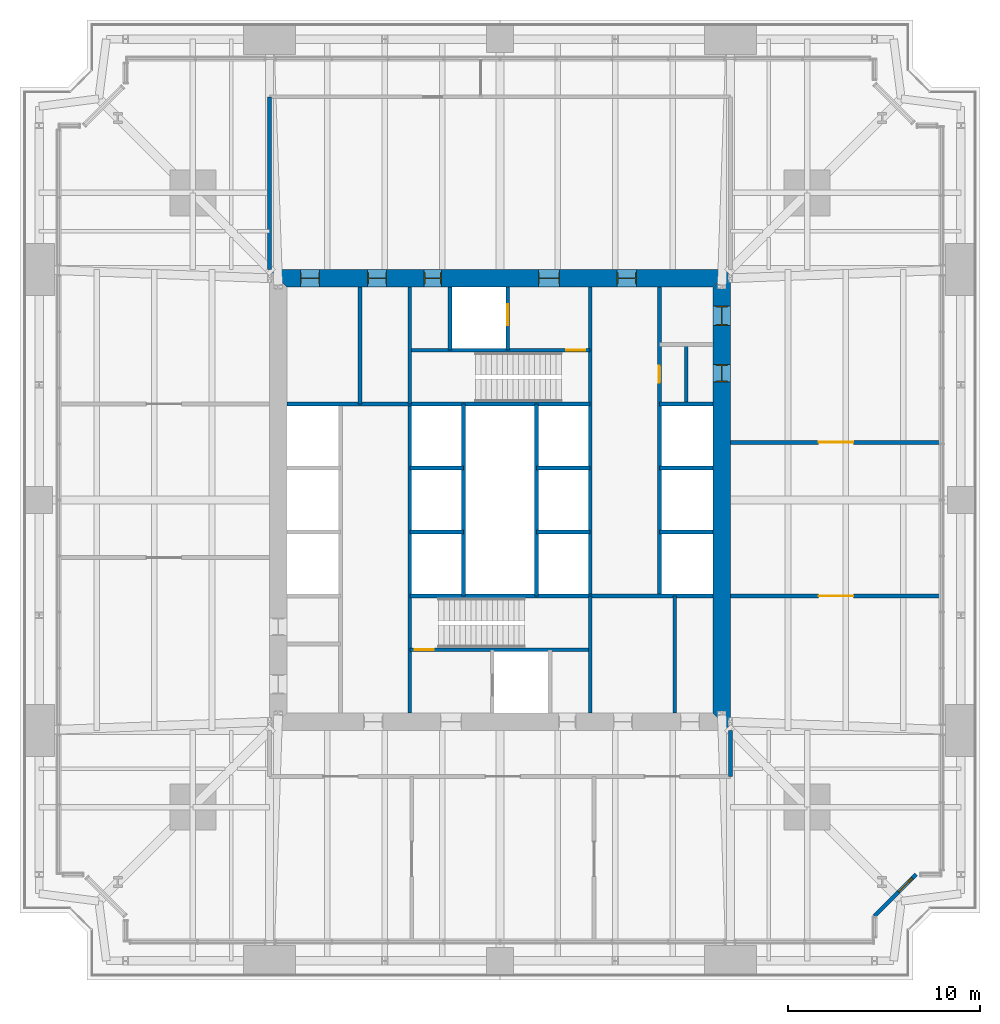
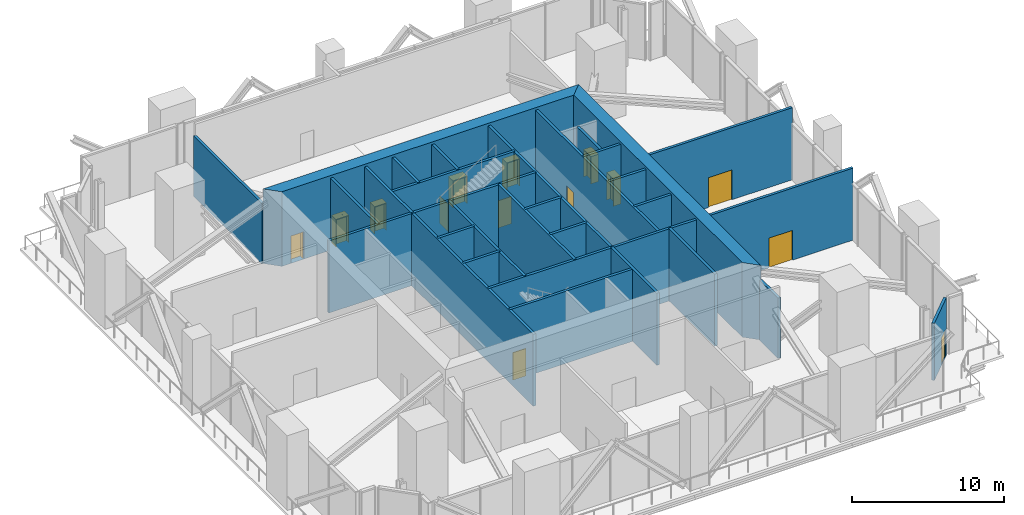
# One storey, part 9 of 13: 30 walls, 14 doors, 14 openings.
"""IFC4 building model written with IfcOpenShell, lengths in metres."""

import ifcopenshell
import ifcopenshell.guid

model = None  # the IFC model being written
_history = None  # IfcOwnerHistory: only IFC2X3 demands one
_inside = {}  # id of a spatial element -> (the spatial element, [elements in it])
_under = {}  # id of a project, library or spatial element -> (it, [spatial elements below it])
_declared = {}  # id of a project -> (the project, [libraries it declares])
_typed = {}  # id of a type object -> (the type object, [elements of that type])
_made_of = {}  # id of a material, layer set ... -> (it, [elements and type objects made of it])


def new_model(schema):
    """Start an empty IFC model of exactly this schema.

    Asked for "IFC4X3", IfcOpenShell would pick the latest addendum, in which some entities
    have other attributes; the version numbers below select the first issue.
    IFC2X3 requires an IfcOwnerHistory on every rooted entity: one is made here for all.
    """
    global model, _history
    if schema == "IFC4X3":
        model = ifcopenshell.file(schema_version=(4, 3, 0, 0))
    else:
        model = ifcopenshell.file(schema=schema)
    _inside.clear()
    _under.clear()
    _declared.clear()
    _typed.clear()
    _made_of.clear()
    _history = None
    if model.schema == "IFC2X3":
        org = make("IfcOrganization", Name="unknown")
        user = make(
            "IfcPersonAndOrganization",
            ThePerson=make("IfcPerson", FamilyName="unknown"),
            TheOrganization=org,
        )
        app = make(
            "IfcApplication",
            ApplicationDeveloper=org,
            Version="unknown",
            ApplicationFullName="unknown",
            ApplicationIdentifier="unknown",
        )
        _history = make(
            "IfcOwnerHistory",
            OwningUser=user,
            OwningApplication=app,
            ChangeAction="ADDED",
            CreationDate=0,
        )
    return model


def make(cls, **values):
    """One entity of the class cls with the attributes given. An attribute that is None is left unset."""
    return model.create_entity(
        cls, **{name: value for name, value in values.items() if value is not None}
    )


def rooted(cls, **values):
    """An entity with a GlobalId (a new one), such as an element, a storey or a relation."""
    return make(cls, GlobalId=ifcopenshell.guid.new(), OwnerHistory=_history, **values)


def si_unit(unit_type, name, prefix=None):
    """IfcSIUnit, for example si_unit("LENGTHUNIT", "METRE", prefix="MILLI")."""
    return make("IfcSIUnit", UnitType=unit_type, Prefix=prefix, Name=name)


def assignment(units):
    """IfcUnitAssignment: the units of a project."""
    return None if units is None else make("IfcUnitAssignment", Units=units)


def point(xyz):
    """IfcCartesianPoint."""
    return None if xyz is None else make("IfcCartesianPoint", Coordinates=xyz)


def direction(xyz):
    """IfcDirection."""
    return None if xyz is None else make("IfcDirection", DirectionRatios=xyz)


def frame(location, z_axis=None, x_axis=None):
    """IfcAxis2Placement3D, a coordinate frame: its origin and axes. An axis left out is left unset."""
    return make(
        "IfcAxis2Placement3D",
        Location=point(location),
        Axis=direction(z_axis),
        RefDirection=direction(x_axis),
    )


def frame_2d(location, x_axis=None):
    """IfcAxis2Placement2D, a coordinate frame in the plane: its origin and x axis."""
    return make(
        "IfcAxis2Placement2D", Location=point(location), RefDirection=direction(x_axis)
    )


def origin():
    """The frame at (0, 0, 0) with its axes left unset."""
    return frame((0.0, 0.0, 0.0))


def place(relative_to, where):
    """IfcLocalPlacement: puts the frame where relative to a parent placement (None: the world)."""
    return make(
        "IfcLocalPlacement", PlacementRelTo=relative_to, RelativePlacement=where
    )


def context(
    kind, dimensions, precision=None, world=None, true_north=None, identifier=None
):
    """IfcGeometricRepresentationContext, for example the 3D "Model" context."""
    return make(
        "IfcGeometricRepresentationContext",
        ContextIdentifier=identifier,
        ContextType=kind,
        CoordinateSpaceDimension=dimensions,
        Precision=precision,
        WorldCoordinateSystem=world,
        TrueNorth=true_north,
    )


def subcontext(parent, identifier, kind, view, scale=None):
    """IfcGeometricRepresentationSubContext, for example "Body" below "Model"."""
    return make(
        "IfcGeometricRepresentationSubContext",
        ContextIdentifier=identifier,
        ContextType=kind,
        ParentContext=parent,
        TargetScale=scale,
        TargetView=view,
    )


def project(units=None, contexts=None):
    """IfcProject with its units and contexts."""
    return rooted(
        "IfcProject",
        Name="project",
        RepresentationContexts=contexts,
        UnitsInContext=assignment(units),
    )


def spatial(cls, under=None, at=None, **own):
    """A site, building, storey or space (cls), placed at a placement, below another one or the project."""
    s = rooted(cls, ObjectPlacement=at, **own)
    if under is not None:
        _under.setdefault(under.id(), (under, []))[1].append(s)
    return s


def polyline(points):
    """IfcPolyline through the points."""
    return make("IfcPolyline", Points=[point(p) for p in points])


def profile(cls, at=None, kind="AREA", **sizes):
    """A parametric profile (cls). Its sizes go by their IFC names, for example OverallWidth=200.0."""
    return make(cls, ProfileType=kind, Position=at, **sizes)


def rectangle(**sizes):
    """IfcRectangleProfileDef."""
    return profile("IfcRectangleProfileDef", **sizes)


def outline(outer, holes=None, kind="AREA"):
    """IfcArbitraryClosedProfileDef: a profile drawn as a closed curve; with holes, ...WithVoids."""
    if holes is None:
        return make("IfcArbitraryClosedProfileDef", ProfileType=kind, OuterCurve=outer)
    return make(
        "IfcArbitraryProfileDefWithVoids",
        ProfileType=kind,
        OuterCurve=outer,
        InnerCurves=holes,
    )


def extrude(swept, where, along, depth):
    """IfcExtrudedAreaSolid: the profile swept, set in the frame where, extruded along a direction by depth."""
    return make(
        "IfcExtrudedAreaSolid",
        SweptArea=swept,
        Position=where,
        ExtrudedDirection=direction(along),
        Depth=depth,
    )


def shape(context_of_items, identifier, shape_type, items):
    """IfcShapeRepresentation: the items that make up one representation, for example the "Body"."""
    return make(
        "IfcShapeRepresentation",
        ContextOfItems=context_of_items,
        RepresentationIdentifier=identifier,
        RepresentationType=shape_type,
        Items=items,
    )


def material(Name=None, Category=None):
    """IfcMaterial."""
    return make("IfcMaterial", Name=Name, Category=Category)


def layer(
    of_material, thickness, ventilated=None, Name=None, Category=None, Priority=None
):
    """IfcMaterialLayer: one layer of a wall or slab, of a material (None: an air gap)."""
    return make(
        "IfcMaterialLayer",
        Material=of_material,
        LayerThickness=thickness,
        IsVentilated=ventilated,
        Name=Name,
        Category=Category,
        Priority=Priority,
    )


def layer_set(layers, Name=None):
    """IfcMaterialLayerSet."""
    return make("IfcMaterialLayerSet", MaterialLayers=layers, LayerSetName=Name)


def made_of(thing, what):
    """Note that an element or type object is made of a material, layer set ...; save() writes the relation."""
    if what is not None:
        _made_of.setdefault(what.id(), (what, []))[1].append(thing)
    return thing


def type_object(cls, material=None, **own):
    """A type object (cls), such as IfcWallType, which elements share."""
    return made_of(rooted(cls, **own), material)


def element(
    cls,
    number,
    at=None,
    inside=None,
    cuts=None,
    type_object=None,
    material=None,
    context=None,
    identifier="Body",
    shape_type=None,
    held_by="IfcProductDefinitionShape",
    body=None,
    shapes=None,
    **own,
):
    """One element of the class cls, such as IfcWall. Its Tag is "e" and its number.

    at: its placement. inside: the storey or other place that contains it. cuts: it is an
    opening in that element (IfcRelVoidsElement). A single representation is given by context,
    identifier, shape_type and body (its items); several are given by shapes. held_by: the class
    of the entity that holds the representations. save() writes the other relations.
    """
    e = rooted(cls, Tag="e%d" % number, ObjectPlacement=at, **own)
    if body is not None:
        shapes = [shape(context, identifier, shape_type, body)]
    if shapes is not None:
        e.Representation = make(held_by, Representations=shapes)
    if inside is not None:
        _inside.setdefault(inside.id(), (inside, []))[1].append(e)
    if cuts is not None:
        rooted(
            "IfcRelVoidsElement", RelatingBuildingElement=cuts, RelatedOpeningElement=e
        )
    if type_object is not None:
        _typed.setdefault(type_object.id(), (type_object, []))[1].append(e)
    return made_of(e, material)


def fill(opening, filler):
    """IfcRelFillsElement: the door or window that sits in an opening."""
    return rooted(
        "IfcRelFillsElement",
        RelatingOpeningElement=opening,
        RelatedBuildingElement=filler,
    )


def aggregate(whole, parts):
    """IfcRelAggregates: a whole, such as a stair, and the parts it consists of."""
    return rooted("IfcRelAggregates", RelatingObject=whole, RelatedObjects=parts)


def save(model, path):
    """Write the relations noted so far, then the file.

    IfcRelAggregates (storeys below a building ...), IfcRelContainedInSpatialStructure (elements
    in a storey), IfcRelDefinesByType, IfcRelAssociatesMaterial and IfcRelDeclares: one each for
    every whole, place, type object, material and project.
    """
    for whole, parts in _under.values():
        aggregate(whole, parts)
    for where, things in _inside.values():
        rooted(
            "IfcRelContainedInSpatialStructure",
            RelatedElements=things,
            RelatingStructure=where,
        )
    for kind, things in _typed.values():
        rooted("IfcRelDefinesByType", RelatedObjects=things, RelatingType=kind)
    for what, things in _made_of.values():
        rooted("IfcRelAssociatesMaterial", RelatedObjects=things, RelatingMaterial=what)
    for by, libraries in _declared.values():
        rooted("IfcRelDeclares", RelatingContext=by, RelatedDefinitions=libraries)
    model.write(path)


model = new_model("IFC4")

# Units and contexts
model_context = context("Model", 3, precision=1e-05, world=origin(), true_north=direction((0.0, 1.0)))
body_context = subcontext(model_context, "Body", "Model", "MODEL_VIEW")
ifc_project = project(units=[si_unit("LENGTHUNIT", "METRE"), si_unit("AREAUNIT", "SQUARE_METRE"), si_unit("VOLUMEUNIT", "CUBIC_METRE"), si_unit("PLANEANGLEUNIT", "RADIAN"), si_unit("MASSUNIT", "GRAM", prefix="KILO")], contexts=[model_context])

# Site, building, storey
site_placement = place(None, origin())
site = spatial("IfcSite", under=ifc_project, at=site_placement, CompositionType="ELEMENT")
building_placement = place(site_placement, origin())
building = spatial("IfcBuilding", under=site, at=building_placement, Name="Fenwick Lantern Interchange", CompositionType="ELEMENT")
storey_placement = place(building_placement, frame((0.0, 0.0, 91.0)))
storey = spatial("IfcBuildingStorey", under=building, at=storey_placement, Name="L21", CompositionType="ELEMENT", Elevation=91.0)

# Walls
ifc_material_1 = material(Name="Concrete masonry ASTM C90 Grade N", Category="masonry")
ifc_layer_1 = layer(ifc_material_1, 0.199951171875)
ifc_layer_set_1 = layer_set([ifc_layer_1], Name="Concrete masonry ASTM C90 Grade N")
wall_type_1 = type_object("IfcWallType", Name="CORE PARTITION 200", PredefinedType="PARTITIONING", material=ifc_layer_set_1)
for number, where, z_axis, x_axis, name in (
    (1, (20.300048828125, 23.333251953125, 0.0), (0.0, 0.0, 1.0), (1.0, 0.0, 0.0), "L21/W/CORES/e1"),
    (2, (20.300048828125, 26.666748046875, 0.0), (0.0, 0.0, 1.0), (1.0, 0.0, 0.0), "L21/W/CORES/e2"),
):
    element("IfcWall", number, at=place(storey_placement, frame(where, z_axis=z_axis, x_axis=x_axis)), inside=storey, type_object=wall_type_1, Name=name, PredefinedType="PARTITIONING", context=body_context, shape_type="SweptSolid", body=[
        extrude(rectangle(XDim=2.800048828125, YDim=0.199951171875, at=frame_2d((1.39990234375, 0.0))), origin(), (0.0, 0.0, 1.0), 5.800048828125),
    ])
wall_1_placement = place(storey_placement, frame((23.10009765625, 20.0, 0.0), z_axis=(0.0, 0.0, 1.0), x_axis=(0.0, 1.0, 0.0)))
element("IfcWall", 3, at=wall_1_placement, inside=storey, type_object=wall_type_1, Name="L21/W/CORES/e3", PredefinedType="PARTITIONING", context=body_context, shape_type="SweptSolid", body=[
    extrude(rectangle(XDim=10.0, YDim=0.199951171875, at=frame_2d((5.0, 0.0))), origin(), (0.0, 0.0, 1.0), 5.800048828125),
])
wall_2_placement = place(storey_placement, frame((34.10009765625, 13.89990234375, 0.0), z_axis=(0.0, 0.0, 1.0), x_axis=(0.0, 1.0, 0.0)))
element("IfcWall", 4, at=wall_2_placement, inside=storey, type_object=wall_type_1, Name="L21/W/CORES/i2", PredefinedType="PARTITIONING", context=body_context, shape_type="SweptSolid", body=[
    extrude(rectangle(XDim=6.10009765625, YDim=0.199951171875, at=frame_2d((3.050048828125, 0.0))), origin(), (0.0, 0.0, 1.0), 5.800048828125),
])

# Wall, opening, door
wall_3_placement = place(storey_placement, frame((33.300048828125, 36.10009765625, 0.0), z_axis=(0.0, 0.0, 1.0), x_axis=(0.0, -1.0, 0.0)))
wall_3 = element("IfcWall", 5, at=wall_3_placement, inside=storey, type_object=wall_type_1, Name="L21/W/COREN/a", PredefinedType="PARTITIONING", context=body_context, shape_type="SweptSolid", body=[
    extrude(rectangle(XDim=16.10009765625, YDim=0.199951171875, at=frame_2d((8.050048828125, 0.0))), origin(), (0.0, 0.0, 1.0), 5.800048828125),
])
opening_1_placement = place(wall_3_placement, frame((4.10009765625, 0.0, 0.0)))
opening_1 = element("IfcOpeningElement", 6, at=opening_1_placement, cuts=wall_3, Name="Opening L21-D017", PredefinedType="OPENING", context=body_context, shape_type="SweptSolid", body=[
    extrude(rectangle(XDim=0.89990234375, YDim=2.199951171875, at=frame_2d((0.449951171875, 1.10009765625))), frame((0.0, 0.10986328125, 0.0), z_axis=(0.0, -1.0, 0.0), x_axis=(1.0, 0.0, 0.0)), (0.0, 0.0, 1.0), 0.219970703125),
])
ifc_material_2 = material(Name="Steel door and frame", Category="steel")
door_type_1 = type_object("IfcDoorType", Name="SERVICE DOOR 900 X 2200", OperationType="SINGLE_SWING_LEFT", PredefinedType="DOOR", material=ifc_material_2)
door_1_placement = place(opening_1_placement, origin())
door_1 = element("IfcDoor", 7, at=door_1_placement, inside=storey, type_object=door_type_1, Name="Service door", OperationType="SINGLE_SWING_LEFT", OverallHeight=2.199951171875, OverallWidth=0.89990234375, PredefinedType="DOOR", context=body_context, shape_type="SweptSolid", body=[
    extrude(rectangle(XDim=0.89990234375, YDim=2.199951171875, at=frame_2d((0.449951171875, 1.10009765625))), frame((0.0, 0.02490234375, 0.0), z_axis=(0.0, -1.0, 0.0), x_axis=(1.0, 0.0, 0.0)), (0.0, 0.0, 1.0), 0.050048828125),
])
fill(opening_1, door_1)

# Walls
for number, where, z_axis, x_axis, name in (
    (8, (36.10009765625, 30.0, 0.0), (0.0, 0.0, 1.0), (-1.0, 0.0, 0.0), "L21/W/COREN/c2"),
    (9, (36.10009765625, 26.666748046875, 0.0), (0.0, 0.0, 1.0), (-1.0, 0.0, 0.0), "L21/W/COREN/d1"),
    (10, (36.10009765625, 23.333251953125, 0.0), (0.0, 0.0, 1.0), (-1.0, 0.0, 0.0), "L21/W/COREN/d2"),
    (11, (29.699951171875, 26.666748046875, 0.0), (0.0, 0.0, 1.0), (-1.0, 0.0, 0.0), "L21/W/COREN/e1"),
    (12, (29.699951171875, 23.333251953125, 0.0), (0.0, 0.0, 1.0), (-1.0, 0.0, 0.0), "L21/W/COREN/e2"),
):
    element("IfcWall", number, at=place(storey_placement, frame(where, z_axis=z_axis, x_axis=x_axis)), inside=storey, type_object=wall_type_1, Name=name, PredefinedType="PARTITIONING", context=body_context, shape_type="SweptSolid", body=[
        extrude(rectangle(XDim=2.800048828125, YDim=0.199951171875, at=frame_2d((1.39990234375, 0.0))), origin(), (0.0, 0.0, 1.0), 5.800048828125),
    ])
wall_4_placement = place(storey_placement, frame((26.89990234375, 30.0, 0.0), z_axis=(0.0, 0.0, 1.0), x_axis=(0.0, -1.0, 0.0)))
element("IfcWall", 13, at=wall_4_placement, inside=storey, type_object=wall_type_1, Name="L21/W/COREN/e3", PredefinedType="PARTITIONING", context=body_context, shape_type="SweptSolid", body=[
    extrude(rectangle(XDim=10.0, YDim=0.199951171875, at=frame_2d((5.0, 0.0))), origin(), (0.0, 0.0, 1.0), 5.800048828125),
])

# Wall, opening, door
wall_5_placement = place(storey_placement, frame((25.39990234375, 36.10009765625, 0.0), z_axis=(0.0, 0.0, 1.0), x_axis=(0.0, -1.0, 0.0)))
wall_5 = element("IfcWall", 14, at=wall_5_placement, inside=storey, type_object=wall_type_1, Name="L21/W/COREN/h1", PredefinedType="PARTITIONING", context=body_context, shape_type="SweptSolid", body=[
    extrude(rectangle(XDim=3.300048828125, YDim=0.199951171875, at=frame_2d((1.64990234375, 0.0))), origin(), (0.0, 0.0, 1.0), 5.800048828125),
])
opening_2_placement = place(wall_5_placement, frame((0.89990234375, 0.0, 0.0)))
opening_2 = element("IfcOpeningElement", 15, at=opening_2_placement, cuts=wall_5, Name="Opening LD-FL2", PredefinedType="OPENING", context=body_context, shape_type="SweptSolid", body=[
    extrude(rectangle(XDim=1.10009765625, YDim=2.199951171875, at=frame_2d((0.550048828125, 1.10009765625))), frame((0.0, 0.10986328125, 0.0), z_axis=(0.0, -1.0, 0.0), x_axis=(1.0, 0.0, 0.0)), (0.0, 0.0, 1.0), 0.219970703125),
])
door_type_2 = type_object("IfcDoorType", Name="LIFT LANDING DOOR 1100 X 2200", OperationType="DOUBLE_DOOR_SLIDING", PredefinedType="DOOR", material=ifc_material_2)
door_2_placement = place(opening_2_placement, origin())
door_2 = element("IfcDoor", 16, at=door_2_placement, inside=storey, type_object=door_type_2, Name="Lift landing door FL2", OperationType="DOUBLE_DOOR_SLIDING", OverallHeight=2.199951171875, OverallWidth=1.10009765625, PredefinedType="DOOR", context=body_context, shape_type="SweptSolid", body=[
    extrude(rectangle(XDim=1.10009765625, YDim=2.199951171875, at=frame_2d((0.550048828125, 1.10009765625))), frame((0.0, 0.02490234375, 0.0), z_axis=(0.0, -1.0, 0.0), x_axis=(1.0, 0.0, 0.0)), (0.0, 0.0, 1.0), 0.050048828125),
])
fill(opening_2, door_2)

# Walls
wall_6_placement = place(storey_placement, frame((22.39990234375, 36.10009765625, 0.0), z_axis=(0.0, 0.0, 1.0), x_axis=(0.0, -1.0, 0.0)))
element("IfcWall", 17, at=wall_6_placement, inside=storey, type_object=wall_type_1, Name="L21/W/COREN/h2", PredefinedType="PARTITIONING", context=body_context, shape_type="SweptSolid", body=[
    extrude(rectangle(XDim=3.300048828125, YDim=0.199951171875, at=frame_2d((1.64990234375, 0.0))), origin(), (0.0, 0.0, 1.0), 5.800048828125),
])
wall_7_placement = place(storey_placement, frame((17.699951171875, 36.10009765625, 0.0), z_axis=(0.0, 0.0, 1.0), x_axis=(0.0, -1.0, 0.0)))
element("IfcWall", 18, at=wall_7_placement, inside=storey, type_object=wall_type_1, Name="L21/W/COREN/i2", PredefinedType="PARTITIONING", context=body_context, shape_type="SweptSolid", body=[
    extrude(rectangle(XDim=6.10009765625, YDim=0.199951171875, at=frame_2d((3.050048828125, 0.0))), origin(), (0.0, 0.0, 1.0), 5.800048828125),
])
wall_8_placement = place(storey_placement, frame((34.699951171875, 33.10009765625, 0.0), z_axis=(0.0, 0.0, 1.0), x_axis=(0.0, -1.0, 0.0)))
element("IfcWall", 19, at=wall_8_placement, inside=storey, type_object=wall_type_1, Name="L21/W/COREN/px", PredefinedType="PARTITIONING", context=body_context, shape_type="SweptSolid", body=[
    extrude(rectangle(XDim=3.10009765625, YDim=0.199951171875, at=frame_2d((1.550048828125, 0.0))), origin(), (0.0, 0.0, 1.0), 5.800048828125),
])

# Wall, openings, doors
ifc_material_3 = material(Name="Concrete f'c 70 MPa", Category="concrete")
ifc_layer_2 = layer(ifc_material_3, 0.89990234375)
ifc_layer_set_2 = layer_set([ifc_layer_2], Name="CORE WALL 900")
wall_type_2 = type_object("IfcWallType", Name="CORE WALL 900", PredefinedType="SHEAR", material=ifc_layer_set_2)
wall_9_placement = place(storey_placement, frame((36.550048828125, 13.89990234375, 0.0), z_axis=(0.0, 0.0, 1.0), x_axis=(0.0, 1.0, 0.0)))
wall_9 = element("IfcWall", 20, at=wall_9_placement, inside=storey, type_object=wall_type_2, Name="L21/CORE/E", PredefinedType="SHEAR", context=body_context, shape_type="SweptSolid", body=[
    extrude(outline(polyline([(-0.89990234375, -0.449951171875), (23.10009765625, -0.449951171875), (22.199951171875, 0.449951171875), (0.0, 0.449951171875), (-0.89990234375, -0.449951171875)])), origin(), (0.0, 0.0, 1.0), 6.0),
])
opening_3_placement = place(wall_9_placement, frame((20.199951171875, 0.0, 0.0)))
opening_3 = element("IfcOpeningElement", 21, at=opening_3_placement, cuts=wall_9, Name="Opening L21-D016", PredefinedType="OPENING", context=body_context, shape_type="SweptSolid", body=[
    extrude(rectangle(XDim=1.0, YDim=2.199951171875, at=frame_2d((0.5, 1.10009765625))), frame((0.0, 0.4599609375, 0.0), z_axis=(0.0, -1.0, 0.0), x_axis=(1.0, 0.0, 0.0)), (0.0, 0.0, 1.0), 0.919921875),
])
opening_4_placement = place(wall_9_placement, frame((17.25, 0.0, 0.0)))
opening_4 = element("IfcOpeningElement", 22, at=opening_4_placement, cuts=wall_9, Name="Opening L21-D018", PredefinedType="OPENING", context=body_context, shape_type="SweptSolid", body=[
    extrude(rectangle(XDim=0.89990234375, YDim=2.199951171875, at=frame_2d((0.449951171875, 1.10009765625))), frame((0.0, 0.4599609375, 0.0), z_axis=(0.0, -1.0, 0.0), x_axis=(1.0, 0.0, 0.0)), (0.0, 0.0, 1.0), 0.919921875),
])
door_3_placement = place(opening_4_placement, origin())
door_3 = element("IfcDoor", 23, at=door_3_placement, inside=storey, type_object=door_type_1, Name="Service door", OperationType="SINGLE_SWING_RIGHT", OverallHeight=2.199951171875, OverallWidth=0.89990234375, PredefinedType="DOOR", context=body_context, shape_type="SweptSolid", body=[
    extrude(rectangle(XDim=0.89990234375, YDim=2.199951171875, at=frame_2d((0.449951171875, 1.10009765625))), frame((0.0, 0.02490234375, 0.0), z_axis=(0.0, -1.0, 0.0), x_axis=(1.0, 0.0, 0.0)), (0.0, 0.0, 1.0), 0.050048828125),
    extrude(outline(polyline([(0.0, 0.0), (0.0400390625, 0.0), (0.0400390625, 2.159912109375), (0.85986328125, 2.159912109375), (0.85986328125, 0.0), (0.89990234375, 0.0), (0.89990234375, 2.199951171875), (0.0, 2.199951171875), (0.0, 0.0)])), frame((0.0, 0.300048828125, 0.0), z_axis=(0.0, -1.0, 0.0), x_axis=(1.0, 0.0, 0.0)), (0.0, 0.0, 1.0), 0.60009765625),
])
fill(opening_4, door_3)
ifc_material_4 = material(Name="Hardwood door and steel frame", Category="steel")
door_type_3 = type_object("IfcDoorType", Name="WC DOOR 1000 X 2200", OperationType="SINGLE_SWING_LEFT", PredefinedType="DOOR", material=ifc_material_4)
door_4_placement = place(opening_3_placement, origin())
door_4 = element("IfcDoor", 24, at=door_4_placement, inside=storey, type_object=door_type_3, Name="Wc door", OperationType="SINGLE_SWING_LEFT", OverallHeight=2.199951171875, OverallWidth=1.0, PredefinedType="DOOR", context=body_context, shape_type="SweptSolid", body=[
    extrude(rectangle(XDim=1.0, YDim=2.199951171875, at=frame_2d((0.5, 1.10009765625))), frame((0.0, 0.02490234375, 0.0), z_axis=(0.0, -1.0, 0.0), x_axis=(1.0, 0.0, 0.0)), (0.0, 0.0, 1.0), 0.050048828125),
    extrude(outline(polyline([(0.0, 0.0), (0.0400390625, 0.0), (0.0400390625, 2.159912109375), (0.9599609375, 2.159912109375), (0.9599609375, 0.0), (1.0, 0.0), (1.0, 2.199951171875), (0.0, 2.199951171875), (0.0, 0.0)])), frame((0.0, 0.300048828125, 0.0), z_axis=(0.0, -1.0, 0.0), x_axis=(1.0, 0.0, 0.0)), (0.0, 0.0, 1.0), 0.60009765625),
])
fill(opening_3, door_4)

wall_10_placement = place(storey_placement, frame((37.0, 36.550048828125, 0.0), z_axis=(0.0, 0.0, 1.0), x_axis=(-1.0, 0.0, 0.0)))
wall_10 = element("IfcWall", 25, at=wall_10_placement, inside=storey, type_object=wall_type_2, Name="L21/CORE/N", PredefinedType="SHEAR", context=body_context, shape_type="SweptSolid", body=[
    extrude(outline(polyline([(0.0, -0.449951171875), (24.0, -0.449951171875), (23.10009765625, 0.449951171875), (0.89990234375, 0.449951171875), (0.0, -0.449951171875)])), origin(), (0.0, 0.0, 1.0), 6.0),
])
opening_5_placement = place(wall_10_placement, frame((4.89990234375, 0.0, 0.0)))
opening_5 = element("IfcOpeningElement", 26, at=opening_5_placement, cuts=wall_10, Name="Opening L21-D010", PredefinedType="OPENING", context=body_context, shape_type="SweptSolid", body=[
    extrude(rectangle(XDim=1.0, YDim=2.199951171875, at=frame_2d((0.5, 1.10009765625))), frame((0.0, 0.4599609375, 0.0), z_axis=(0.0, -1.0, 0.0), x_axis=(1.0, 0.0, 0.0)), (0.0, 0.0, 1.0), 0.919921875),
])
opening_6_placement = place(wall_10_placement, frame((8.89990234375, 0.0, 0.0)))
opening_6 = element("IfcOpeningElement", 27, at=opening_6_placement, cuts=wall_10, Name="Opening L21-D011", PredefinedType="OPENING", context=body_context, shape_type="SweptSolid", body=[
    extrude(rectangle(XDim=1.10009765625, YDim=2.199951171875, at=frame_2d((0.550048828125, 1.10009765625))), frame((0.0, 0.4599609375, 0.0), z_axis=(0.0, -1.0, 0.0), x_axis=(1.0, 0.0, 0.0)), (0.0, 0.0, 1.0), 0.919921875),
])
opening_7_placement = place(wall_10_placement, frame((15.050048828125, 0.0, 0.0)))
opening_7 = element("IfcOpeningElement", 28, at=opening_7_placement, cuts=wall_10, Name="Opening L21-D013", PredefinedType="OPENING", context=body_context, shape_type="SweptSolid", body=[
    extrude(rectangle(XDim=0.89990234375, YDim=2.199951171875, at=frame_2d((0.449951171875, 1.10009765625))), frame((0.0, 0.4599609375, 0.0), z_axis=(0.0, -1.0, 0.0), x_axis=(1.0, 0.0, 0.0)), (0.0, 0.0, 1.0), 0.919921875),
])
opening_8_placement = place(wall_10_placement, frame((17.89990234375, 0.0, 0.0)))
opening_8 = element("IfcOpeningElement", 29, at=opening_8_placement, cuts=wall_10, Name="Opening L21-D014", PredefinedType="OPENING", context=body_context, shape_type="SweptSolid", body=[
    extrude(rectangle(XDim=1.0, YDim=2.199951171875, at=frame_2d((0.5, 1.10009765625))), frame((0.0, 0.4599609375, 0.0), z_axis=(0.0, -1.0, 0.0), x_axis=(1.0, 0.0, 0.0)), (0.0, 0.0, 1.0), 0.919921875),
])
opening_9_placement = place(wall_10_placement, frame((21.39990234375, 0.0, 0.0)))
opening_9 = element("IfcOpeningElement", 30, at=opening_9_placement, cuts=wall_10, Name="Opening L21-D015", PredefinedType="OPENING", context=body_context, shape_type="SweptSolid", body=[
    extrude(rectangle(XDim=1.0, YDim=2.199951171875, at=frame_2d((0.5, 1.10009765625))), frame((0.0, 0.4599609375, 0.0), z_axis=(0.0, -1.0, 0.0), x_axis=(1.0, 0.0, 0.0)), (0.0, 0.0, 1.0), 0.919921875),
])
door_type_4 = type_object("IfcDoorType", Name="CORE LOBBY DOOR 1000 X 2200", OperationType="SINGLE_SWING_LEFT", PredefinedType="DOOR", material=ifc_material_2)
door_5_placement = place(opening_5_placement, frame((1.0, 0.0, 0.0), z_axis=(0.0, 0.0, 1.0), x_axis=(-1.0, 0.0, 0.0)))
door_5 = element("IfcDoor", 31, at=door_5_placement, inside=storey, type_object=door_type_4, Name="Core lobby door", OperationType="SINGLE_SWING_RIGHT", OverallHeight=2.199951171875, OverallWidth=1.0, PredefinedType="DOOR", context=body_context, shape_type="SweptSolid", body=[
    extrude(rectangle(XDim=1.0, YDim=2.199951171875, at=frame_2d((0.5, 1.10009765625))), frame((0.0, 0.02490234375, 0.0), z_axis=(0.0, -1.0, 0.0), x_axis=(1.0, 0.0, 0.0)), (0.0, 0.0, 1.0), 0.050048828125),
    extrude(outline(polyline([(0.0, 0.0), (0.0400390625, 0.0), (0.0400390625, 2.159912109375), (0.9599609375, 2.159912109375), (0.9599609375, 0.0), (1.0, 0.0), (1.0, 2.199951171875), (0.0, 2.199951171875), (0.0, 0.0)])), frame((0.0, 0.300048828125, 0.0), z_axis=(0.0, -1.0, 0.0), x_axis=(1.0, 0.0, 0.0)), (0.0, 0.0, 1.0), 0.60009765625),
])
fill(opening_5, door_5)
door_type_5 = type_object("IfcDoorType", Name="FIRE LOBBY DOOR 1100 X 2200", OperationType="SINGLE_SWING_LEFT", PredefinedType="DOOR", material=ifc_material_2)
door_6_placement = place(opening_6_placement, origin())
door_6 = element("IfcDoor", 32, at=door_6_placement, inside=storey, type_object=door_type_5, Name="Fire lobby door", OperationType="SINGLE_SWING_LEFT", OverallHeight=2.199951171875, OverallWidth=1.10009765625, PredefinedType="DOOR", context=body_context, shape_type="SweptSolid", body=[
    extrude(rectangle(XDim=1.10009765625, YDim=2.199951171875, at=frame_2d((0.550048828125, 1.10009765625))), frame((0.0, 0.02490234375, 0.0), z_axis=(0.0, -1.0, 0.0), x_axis=(1.0, 0.0, 0.0)), (0.0, 0.0, 1.0), 0.050048828125),
    extrude(outline(polyline([(0.0, 0.0), (0.0400390625, 0.0), (0.0400390625, 2.159912109375), (1.06005859375, 2.159912109375), (1.06005859375, 0.0), (1.10009765625, 0.0), (1.10009765625, 2.199951171875), (0.0, 2.199951171875), (0.0, 0.0)])), frame((0.0, 0.300048828125, 0.0), z_axis=(0.0, -1.0, 0.0), x_axis=(1.0, 0.0, 0.0)), (0.0, 0.0, 1.0), 0.60009765625),
])
fill(opening_6, door_6)
door_7_placement = place(opening_7_placement, origin())
door_7 = element("IfcDoor", 33, at=door_7_placement, inside=storey, type_object=door_type_1, Name="Service door", OperationType="SINGLE_SWING_LEFT", OverallHeight=2.199951171875, OverallWidth=0.89990234375, PredefinedType="DOOR", context=body_context, shape_type="SweptSolid", body=[
    extrude(rectangle(XDim=0.89990234375, YDim=2.199951171875, at=frame_2d((0.449951171875, 1.10009765625))), frame((0.0, 0.02490234375, 0.0), z_axis=(0.0, -1.0, 0.0), x_axis=(1.0, 0.0, 0.0)), (0.0, 0.0, 1.0), 0.050048828125),
    extrude(outline(polyline([(0.0, 0.0), (0.0400390625, 0.0), (0.0400390625, 2.159912109375), (0.85986328125, 2.159912109375), (0.85986328125, 0.0), (0.89990234375, 0.0), (0.89990234375, 2.199951171875), (0.0, 2.199951171875), (0.0, 0.0)])), frame((0.0, 0.300048828125, 0.0), z_axis=(0.0, -1.0, 0.0), x_axis=(1.0, 0.0, 0.0)), (0.0, 0.0, 1.0), 0.60009765625),
])
fill(opening_7, door_7)
door_8_placement = place(opening_8_placement, origin())
door_8 = element("IfcDoor", 34, at=door_8_placement, inside=storey, type_object=door_type_3, Name="Wc door", OperationType="SINGLE_SWING_RIGHT", OverallHeight=2.199951171875, OverallWidth=1.0, PredefinedType="DOOR", context=body_context, shape_type="SweptSolid", body=[
    extrude(rectangle(XDim=1.0, YDim=2.199951171875, at=frame_2d((0.5, 1.10009765625))), frame((0.0, 0.02490234375, 0.0), z_axis=(0.0, -1.0, 0.0), x_axis=(1.0, 0.0, 0.0)), (0.0, 0.0, 1.0), 0.050048828125),
    extrude(outline(polyline([(0.0, 0.0), (0.0400390625, 0.0), (0.0400390625, 2.159912109375), (0.9599609375, 2.159912109375), (0.9599609375, 0.0), (1.0, 0.0), (1.0, 2.199951171875), (0.0, 2.199951171875), (0.0, 0.0)])), frame((0.0, 0.300048828125, 0.0), z_axis=(0.0, -1.0, 0.0), x_axis=(1.0, 0.0, 0.0)), (0.0, 0.0, 1.0), 0.60009765625),
])
fill(opening_8, door_8)
door_9_placement = place(opening_9_placement, origin())
door_9 = element("IfcDoor", 35, at=door_9_placement, inside=storey, type_object=door_type_3, Name="Wc door", OperationType="SINGLE_SWING_RIGHT", OverallHeight=2.199951171875, OverallWidth=1.0, PredefinedType="DOOR", context=body_context, shape_type="SweptSolid", body=[
    extrude(rectangle(XDim=1.0, YDim=2.199951171875, at=frame_2d((0.5, 1.10009765625))), frame((0.0, 0.02490234375, 0.0), z_axis=(0.0, -1.0, 0.0), x_axis=(1.0, 0.0, 0.0)), (0.0, 0.0, 1.0), 0.050048828125),
    extrude(outline(polyline([(0.0, 0.0), (0.0400390625, 0.0), (0.0400390625, 2.159912109375), (0.9599609375, 2.159912109375), (0.9599609375, 0.0), (1.0, 0.0), (1.0, 2.199951171875), (0.0, 2.199951171875), (0.0, 0.0)])), frame((0.0, 0.300048828125, 0.0), z_axis=(0.0, -1.0, 0.0), x_axis=(1.0, 0.0, 0.0)), (0.0, 0.0, 1.0), 0.60009765625),
])
fill(opening_9, door_9)

# Wall
ifc_layer_3 = layer(ifc_material_1, 0.199951171875)
ifc_layer_set_3 = layer_set([ifc_layer_3], Name="Concrete masonry ASTM C90 Grade N")
wall_type_3 = type_object("IfcWallType", Name="PLANT ROOM WALL 200", PredefinedType="PARTITIONING", material=ifc_layer_set_3)
wall_11_placement = place(storey_placement, frame((37.0, 10.60009765625, 0.0), z_axis=(0.0, 0.0, 1.0), x_axis=(0.0, 1.0, 0.0)))
element("IfcWall", 36, at=wall_11_placement, inside=storey, type_object=wall_type_3, Name="L21/W/FLOOR/PCS-B", PredefinedType="PARTITIONING", context=body_context, shape_type="SweptSolid", body=[
    extrude(rectangle(XDim=2.39990234375, YDim=0.199951171875, at=frame_2d((1.199951171875, 0.0))), origin(), (0.0, 0.0, 1.0), 4.8525390625),
])

# Wall, opening, door
wall_12_placement = place(storey_placement, frame((37.0, 20.0, 0.0), z_axis=(0.0, 0.0, 1.0), x_axis=(1.0, 0.0, 0.0)))
wall_12 = element("IfcWall", 37, at=wall_12_placement, inside=storey, type_object=wall_type_3, Name="L21/W/FLOOR/PW3", PredefinedType="PARTITIONING", context=body_context, shape_type="SweptSolid", body=[
    extrude(rectangle(XDim=11.0, YDim=0.199951171875, at=frame_2d((5.5, 0.0))), origin(), (0.0, 0.0, 1.0), 5.800048828125),
])
opening_10_placement = place(wall_12_placement, frame((4.60009765625, 0.0, 0.0)))
opening_10 = element("IfcOpeningElement", 38, at=opening_10_placement, cuts=wall_12, Name="Opening L21-D022", PredefinedType="OPENING", context=body_context, shape_type="SweptSolid", body=[
    extrude(rectangle(XDim=1.800048828125, YDim=2.39990234375, at=frame_2d((0.89990234375, 1.199951171875))), frame((0.0, 0.10986328125, 0.0), z_axis=(0.0, -1.0, 0.0), x_axis=(1.0, 0.0, 0.0)), (0.0, 0.0, 1.0), 0.219970703125),
])
door_type_6 = type_object("IfcDoorType", Name="ROOM DOOR PAIR 1800 X 2400", OperationType="DOUBLE_DOOR_SINGLE_SWING", PredefinedType="DOOR", material=ifc_material_2)
door_10_placement = place(opening_10_placement, origin())
door_10 = element("IfcDoor", 39, at=door_10_placement, inside=storey, type_object=door_type_6, Name="Room door pair", OperationType="DOUBLE_DOOR_SINGLE_SWING", OverallHeight=2.39990234375, OverallWidth=1.800048828125, PredefinedType="DOOR", context=body_context, shape_type="SweptSolid", body=[
    extrude(rectangle(XDim=1.800048828125, YDim=2.39990234375, at=frame_2d((0.89990234375, 1.199951171875))), frame((0.0, 0.02490234375, 0.0), z_axis=(0.0, -1.0, 0.0), x_axis=(1.0, 0.0, 0.0)), (0.0, 0.0, 1.0), 0.050048828125),
])
fill(opening_10, door_10)

wall_13_placement = place(storey_placement, frame((37.0, 28.0, 0.0), z_axis=(0.0, 0.0, 1.0), x_axis=(1.0, 0.0, 0.0)))
wall_13 = element("IfcWall", 40, at=wall_13_placement, inside=storey, type_object=wall_type_3, Name="L21/W/FLOOR/PW4", PredefinedType="PARTITIONING", context=body_context, shape_type="SweptSolid", body=[
    extrude(rectangle(XDim=11.0, YDim=0.199951171875, at=frame_2d((5.5, 0.0))), origin(), (0.0, 0.0, 1.0), 5.800048828125),
])
opening_11_placement = place(wall_13_placement, frame((4.60009765625, 0.0, 0.0)))
opening_11 = element("IfcOpeningElement", 41, at=opening_11_placement, cuts=wall_13, Name="Opening L21-D023", PredefinedType="OPENING", context=body_context, shape_type="SweptSolid", body=[
    extrude(rectangle(XDim=1.800048828125, YDim=2.39990234375, at=frame_2d((0.89990234375, 1.199951171875))), frame((0.0, 0.10986328125, 0.0), z_axis=(0.0, -1.0, 0.0), x_axis=(1.0, 0.0, 0.0)), (0.0, 0.0, 1.0), 0.219970703125),
])
door_11_placement = place(opening_11_placement, frame((1.800048828125, 0.0, 0.0), z_axis=(0.0, 0.0, 1.0), x_axis=(-1.0, 0.0, 0.0)))
door_11 = element("IfcDoor", 42, at=door_11_placement, inside=storey, type_object=door_type_6, Name="Room door pair", OperationType="DOUBLE_DOOR_SINGLE_SWING", OverallHeight=2.39990234375, OverallWidth=1.800048828125, PredefinedType="DOOR", context=body_context, shape_type="SweptSolid", body=[
    extrude(rectangle(XDim=1.800048828125, YDim=2.39990234375, at=frame_2d((0.89990234375, 1.199951171875))), frame((0.0, 0.02490234375, 0.0), z_axis=(0.0, -1.0, 0.0), x_axis=(1.0, 0.0, 0.0)), (0.0, 0.0, 1.0), 0.050048828125),
])
fill(opening_11, door_11)

ifc_material_5 = material(Name="Aluminium sheet", Category="aluminium")
ifc_layer_4 = layer(ifc_material_5, 0.0048828125)
ifc_material_6 = material(Name="Mineral wool insulation")
ifc_layer_5 = layer(ifc_material_6, 0.094970703125)
ifc_material_7 = material(Name="Cold-formed galvanised steel studs", Category="steel")
ifc_layer_6 = layer(ifc_material_7, 0.10009765625)
ifc_layer_set_4 = layer_set([ifc_layer_4, ifc_layer_5, ifc_layer_6], Name="Aluminium sheet")
wall_type_4 = type_object("IfcWallType", Name="PLANT SCREEN PANEL 200", PredefinedType="SOLIDWALL", material=ifc_layer_set_4)
wall_14_placement = place(storey_placement, frame((44.5, 3.328369140625, 0.0), z_axis=(0.0, 0.0, 1.0), x_axis=(0.707106781187, 0.707106781187, 0.0)))
wall_14 = element("IfcWall", 43, at=wall_14_placement, inside=storey, type_object=wall_type_4, Name="L21/CW/02W", PredefinedType="SOLIDWALL", context=body_context, shape_type="SweptSolid", body=[
    extrude(rectangle(XDim=3.071044921875, YDim=0.199951171875, at=frame_2d((1.53564453125, 0.0))), origin(), (0.0, 0.0, 1.0), 4.60009765625),
])
opening_12_placement = place(wall_14_placement, frame((1.78564453125, 0.0, 0.0)))
opening_12 = element("IfcOpeningElement", 44, at=opening_12_placement, cuts=wall_14, Name="Opening L21-D001", PredefinedType="OPENING", context=body_context, shape_type="SweptSolid", body=[
    extrude(rectangle(XDim=1.0, YDim=2.199951171875, at=frame_2d((0.5, 1.10009765625))), frame((0.0, 0.10986328125, 0.0), z_axis=(0.0, -1.0, 0.0), x_axis=(1.0, 0.0, 0.0)), (0.0, 0.0, 1.0), 0.219970703125),
])
ifc_material_8 = material(Name="Insulated steel door", Category="steel")
door_type_7 = type_object("IfcDoorType", Name="MAINTENANCE ACCESS DOOR 1000 X 2200", OperationType="SINGLE_SWING_RIGHT", PredefinedType="DOOR", material=ifc_material_8)
door_12_placement = place(opening_12_placement, origin())
door_12 = element("IfcDoor", 45, at=door_12_placement, inside=storey, type_object=door_type_7, Name="Maintenance access door", OperationType="SINGLE_SWING_RIGHT", OverallHeight=2.199951171875, OverallWidth=1.0, PredefinedType="DOOR", context=body_context, shape_type="SweptSolid", body=[
    extrude(rectangle(XDim=1.0, YDim=2.199951171875, at=frame_2d((0.5, 1.10009765625))), frame((0.0, 0.02490234375, 0.0), z_axis=(0.0, -1.0, 0.0), x_axis=(1.0, 0.0, 0.0)), (0.0, 0.0, 1.0), 0.050048828125),
])
fill(opening_12, door_12)

# Walls
ifc_layer_7 = layer(ifc_material_1, 0.199951171875)
ifc_layer_set_5 = layer_set([ifc_layer_7], Name="Concrete masonry ASTM C90 Grade N")
wall_type_5 = type_object("IfcWallType", Name="REFUGE WALL 200", PredefinedType="PARTITIONING", material=ifc_layer_set_5)
wall_15_placement = place(storey_placement, frame((13.0, 37.0, 0.0), z_axis=(0.0, 0.0, 1.0), x_axis=(0.0, 1.0, 0.0)))
element("IfcWall", 46, at=wall_15_placement, inside=storey, type_object=wall_type_5, Name="L21/W/FLOOR/REF-X", PredefinedType="PARTITIONING", context=body_context, shape_type="SweptSolid", body=[
    extrude(rectangle(XDim=9.0, YDim=0.199951171875, at=frame_2d((4.5, 0.0))), origin(), (0.0, 0.0, 1.0), 4.8525390625),
])
ifc_material_9 = material(Name="Concrete f'c 45 MPa", Category="concrete")
ifc_layer_8 = layer(ifc_material_9, 0.199951171875)
ifc_layer_set_6 = layer_set([ifc_layer_8], Name="STAIR CORE WALL 200")
wall_type_6 = type_object("IfcWallType", Name="STAIR CORE WALL 200", PredefinedType="SOLIDWALL", material=ifc_layer_set_6)
wall_16_placement = place(storey_placement, frame((20.300048828125, 13.89990234375, 0.0), z_axis=(0.0, 0.0, 1.0), x_axis=(0.0, 1.0, 0.0)))
element("IfcWall", 47, at=wall_16_placement, inside=storey, type_object=wall_type_6, Name="L21/W/CORES/b", PredefinedType="SOLIDWALL", context=body_context, shape_type="SweptSolid", body=[
    extrude(rectangle(XDim=16.10009765625, YDim=0.199951171875, at=frame_2d((8.050048828125, 0.0))), origin(), (0.0, 0.0, 1.0), 5.800048828125),
])

# Wall, opening, door
wall_17_placement = place(storey_placement, frame((20.300048828125, 17.199951171875, 0.0), z_axis=(0.0, 0.0, 1.0), x_axis=(1.0, 0.0, 0.0)))
wall_17 = element("IfcWall", 48, at=wall_17_placement, inside=storey, type_object=wall_type_6, Name="L21/W/CORES/g1", PredefinedType="SOLIDWALL", context=body_context, shape_type="SweptSolid", body=[
    extrude(rectangle(XDim=9.39990234375, YDim=0.199951171875, at=frame_2d((4.699951171875, 0.0))), origin(), (0.0, 0.0, 1.0), 5.800048828125),
])
opening_13_placement = place(wall_17_placement, frame((0.25, 0.0, 0.0)))
opening_13 = element("IfcOpeningElement", 49, at=opening_13_placement, cuts=wall_17, Name="Opening L21-D004", PredefinedType="OPENING", context=body_context, shape_type="SweptSolid", body=[
    extrude(rectangle(XDim=1.0, YDim=2.199951171875, at=frame_2d((0.5, 1.10009765625))), frame((0.0, 0.10986328125, 0.0), z_axis=(0.0, -1.0, 0.0), x_axis=(1.0, 0.0, 0.0)), (0.0, 0.0, 1.0), 0.219970703125),
])
door_type_8 = type_object("IfcDoorType", Name="STAIR DOOR 1000 X 2200", OperationType="SINGLE_SWING_LEFT", PredefinedType="DOOR", material=ifc_material_2)
door_13_placement = place(opening_13_placement, origin())
door_13 = element("IfcDoor", 50, at=door_13_placement, inside=storey, type_object=door_type_8, Name="Stair door", OperationType="SINGLE_SWING_LEFT", OverallHeight=2.199951171875, OverallWidth=1.0, PredefinedType="DOOR", context=body_context, shape_type="SweptSolid", body=[
    extrude(rectangle(XDim=1.0, YDim=2.199951171875, at=frame_2d((0.5, 1.10009765625))), frame((0.0, 0.02490234375, 0.0), z_axis=(0.0, -1.0, 0.0), x_axis=(1.0, 0.0, 0.0)), (0.0, 0.0, 1.0), 0.050048828125),
])
fill(opening_13, door_13)

# Walls
wall_18_placement = place(storey_placement, frame((20.300048828125, 20.0, 0.0), z_axis=(0.0, 0.0, 1.0), x_axis=(1.0, 0.0, 0.0)))
element("IfcWall", 51, at=wall_18_placement, inside=storey, type_object=wall_type_6, Name="L21/W/CORES/g2", PredefinedType="SOLIDWALL", context=body_context, shape_type="SweptSolid", body=[
    extrude(rectangle(XDim=15.800048828125, YDim=0.199951171875, at=frame_2d((7.89990234375, 0.0))), origin(), (0.0, 0.0, 1.0), 5.800048828125),
])
wall_19_placement = place(storey_placement, frame((29.699951171875, 13.89990234375, 0.0), z_axis=(0.0, 0.0, 1.0), x_axis=(0.0, 1.0, 0.0)))
element("IfcWall", 52, at=wall_19_placement, inside=storey, type_object=wall_type_6, Name="L21/W/CORES/i1", PredefinedType="SOLIDWALL", context=body_context, shape_type="SweptSolid", body=[
    extrude(rectangle(XDim=6.10009765625, YDim=0.199951171875, at=frame_2d((3.050048828125, 0.0))), origin(), (0.0, 0.0, 1.0), 5.800048828125),
])
wall_20_placement = place(storey_placement, frame((29.699951171875, 36.10009765625, 0.0), z_axis=(0.0, 0.0, 1.0), x_axis=(0.0, -1.0, 0.0)))
element("IfcWall", 53, at=wall_20_placement, inside=storey, type_object=wall_type_6, Name="L21/W/COREN/b", PredefinedType="SOLIDWALL", context=body_context, shape_type="SweptSolid", body=[
    extrude(rectangle(XDim=16.10009765625, YDim=0.199951171875, at=frame_2d((8.050048828125, 0.0))), origin(), (0.0, 0.0, 1.0), 5.800048828125),
])

# Wall, opening, door
wall_21_placement = place(storey_placement, frame((29.699951171875, 32.800048828125, 0.0), z_axis=(0.0, 0.0, 1.0), x_axis=(-1.0, 0.0, 0.0)))
wall_21 = element("IfcWall", 54, at=wall_21_placement, inside=storey, type_object=wall_type_6, Name="L21/W/COREN/g1", PredefinedType="SOLIDWALL", context=body_context, shape_type="SweptSolid", body=[
    extrude(rectangle(XDim=9.39990234375, YDim=0.199951171875, at=frame_2d((4.699951171875, 0.0))), origin(), (0.0, 0.0, 1.0), 5.800048828125),
])
opening_14_placement = place(wall_21_placement, frame((0.25, 0.0, 0.0)))
opening_14 = element("IfcOpeningElement", 55, at=opening_14_placement, cuts=wall_21, Name="Opening L21-D012", PredefinedType="OPENING", context=body_context, shape_type="SweptSolid", body=[
    extrude(rectangle(XDim=1.0, YDim=2.199951171875, at=frame_2d((0.5, 1.10009765625))), frame((0.0, 0.10986328125, 0.0), z_axis=(0.0, -1.0, 0.0), x_axis=(1.0, 0.0, 0.0)), (0.0, 0.0, 1.0), 0.219970703125),
])
door_14_placement = place(opening_14_placement, origin())
door_14 = element("IfcDoor", 56, at=door_14_placement, inside=storey, type_object=door_type_8, Name="Stair door", OperationType="SINGLE_SWING_LEFT", OverallHeight=2.199951171875, OverallWidth=1.0, PredefinedType="DOOR", context=body_context, shape_type="SweptSolid", body=[
    extrude(rectangle(XDim=1.0, YDim=2.199951171875, at=frame_2d((0.5, 1.10009765625))), frame((0.0, 0.02490234375, 0.0), z_axis=(0.0, -1.0, 0.0), x_axis=(1.0, 0.0, 0.0)), (0.0, 0.0, 1.0), 0.050048828125),
])
fill(opening_14, door_14)

# Walls
wall_22_placement = place(storey_placement, frame((29.699951171875, 30.0, 0.0), z_axis=(0.0, 0.0, 1.0), x_axis=(-1.0, 0.0, 0.0)))
element("IfcWall", 57, at=wall_22_placement, inside=storey, type_object=wall_type_6, Name="L21/W/COREN/g2", PredefinedType="SOLIDWALL", context=body_context, shape_type="SweptSolid", body=[
    extrude(rectangle(XDim=15.800048828125, YDim=0.199951171875, at=frame_2d((7.89990234375, 0.0))), origin(), (0.0, 0.0, 1.0), 5.800048828125),
])
wall_23_placement = place(storey_placement, frame((20.300048828125, 36.10009765625, 0.0), z_axis=(0.0, 0.0, 1.0), x_axis=(0.0, -1.0, 0.0)))
element("IfcWall", 58, at=wall_23_placement, inside=storey, type_object=wall_type_6, Name="L21/W/COREN/i1", PredefinedType="SOLIDWALL", context=body_context, shape_type="SweptSolid", body=[
    extrude(rectangle(XDim=6.10009765625, YDim=0.199951171875, at=frame_2d((3.050048828125, 0.0))), origin(), (0.0, 0.0, 1.0), 5.800048828125),
])

save(model, "model.ifc")
